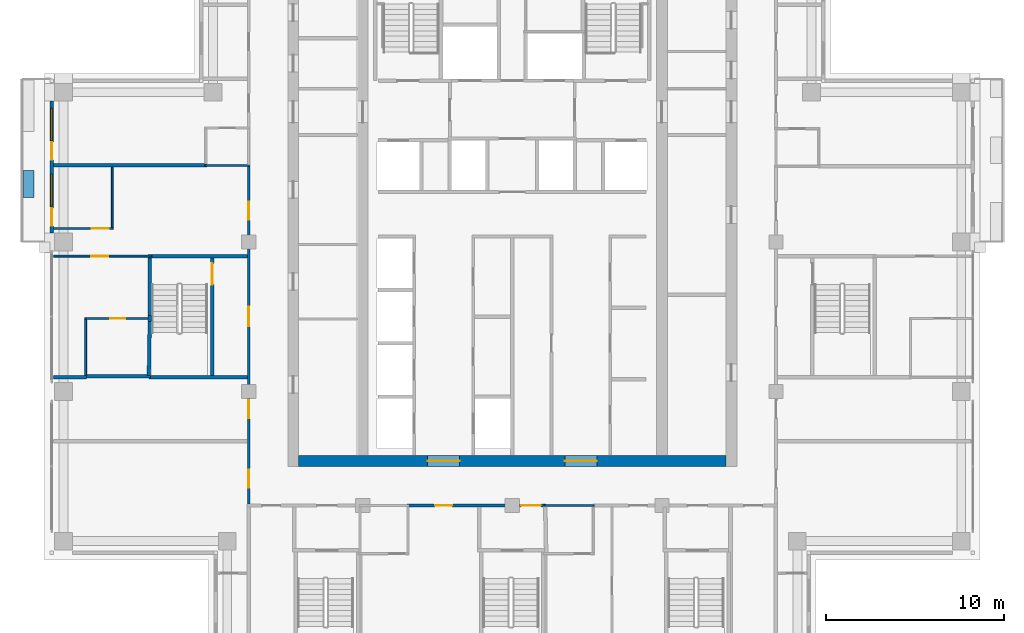
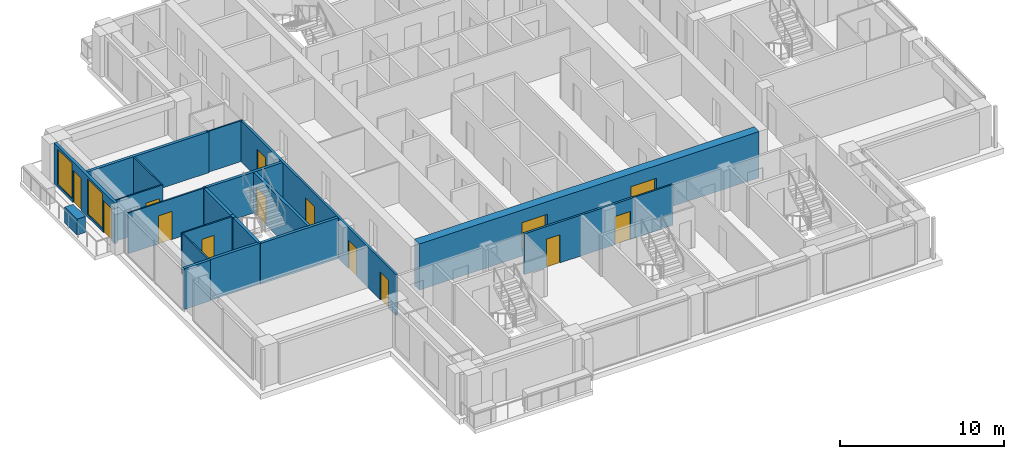
# One storey, part 8 of 16: 21 walls, 14 doors, 2 windows, 16 openings.
"""IFC4 building model written with IfcOpenShell, lengths in metres."""

from ifc_helpers import new_model, si_unit, direction, frame, frame_2d, origin, place, context, subcontext, project, spatial, rectangle, extrude, material, layer, layer_set, type_object, element, fill, save


model = new_model("IFC4")

# Units and contexts
model_context = context("Model", 3, precision=1e-05, world=origin(), true_north=direction((0.0, 1.0)))
body_context = subcontext(model_context, "Body", "Model", "MODEL_VIEW")
ifc_project = project(units=[si_unit("LENGTHUNIT", "METRE"), si_unit("AREAUNIT", "SQUARE_METRE"), si_unit("VOLUMEUNIT", "CUBIC_METRE"), si_unit("PLANEANGLEUNIT", "RADIAN"), si_unit("MASSUNIT", "GRAM", prefix="KILO")], contexts=[model_context])

# Site, building, storey
site_placement = place(None, origin())
site = spatial("IfcSite", under=ifc_project, at=site_placement, CompositionType="ELEMENT")
building_placement = place(site_placement, origin())
building = spatial("IfcBuilding", under=site, at=building_placement, Name="Vermilion Ogive Tower", CompositionType="ELEMENT")
storey_placement = place(building_placement, frame((0.0, 0.0, 179.0)))
storey = spatial("IfcBuildingStorey", under=building, at=storey_placement, Name="L46", CompositionType="ELEMENT", Elevation=179.0)

# Wall, openings, doors
ifc_material_1 = material(Name="Concrete B60", Category="concrete")
ifc_layer_1 = layer(ifc_material_1, 0.60009765625)
ifc_layer_set_1 = layer_set([ifc_layer_1], Name="Core wall 600 B60")
wall_type_1 = type_object("IfcWallType", Name="Core wall 600 B60", PredefinedType="SHEAR", material=ifc_layer_set_1)
wall_1_placement = place(storey_placement, frame((-12.0, -8.10009765625, -0.39990234375), z_axis=(0.0, 0.0, 1.0), x_axis=(1.0, 0.0, 0.0)))
wall_1 = element("IfcWall", 1, at=wall_1_placement, inside=storey, type_object=wall_type_1, Name="L46-CORE-S", PredefinedType="SHEAR", context=body_context, shape_type="SweptSolid", body=[
    extrude(rectangle(XDim=24.0, YDim=0.60009765625, at=frame_2d((12.0, 0.0))), origin(), (0.0, 0.0, 1.0), 3.449951171875),
])
opening_1_placement = place(wall_1_placement, frame((7.25, 0.0, 0.39990234375)))
opening_1 = element("IfcOpeningElement", 2, at=opening_1_placement, cuts=wall_1, Name="Opening DAH035", PredefinedType="OPENING", context=body_context, shape_type="SweptSolid", body=[
    extrude(rectangle(XDim=1.800048828125, YDim=2.10009765625, at=frame_2d((0.89990234375, 1.050048828125))), frame((0.0, 0.31005859375, 0.0), z_axis=(0.0, -1.0, 0.0), x_axis=(1.0, 0.0, 0.0)), (0.0, 0.0, 1.0), 0.6201171875),
])
opening_2_placement = place(wall_1_placement, frame((14.949951171875, 0.0, 0.39990234375)))
opening_2 = element("IfcOpeningElement", 3, at=opening_2_placement, cuts=wall_1, Name="Opening DAH036", PredefinedType="OPENING", context=body_context, shape_type="SweptSolid", body=[
    extrude(rectangle(XDim=1.800048828125, YDim=2.10009765625, at=frame_2d((0.89990234375, 1.050048828125))), frame((0.0, 0.31005859375, 0.0), z_axis=(0.0, -1.0, 0.0), x_axis=(1.0, 0.0, 0.0)), (0.0, 0.0, 1.0), 0.6201171875),
])
ifc_material_2 = material(Name="Timber door leaf", Category="wood")
door_type_1 = type_object("IfcDoorType", Name="Core entry door 1800 x 2100 FD60S", OperationType="DOUBLE_DOOR_SINGLE_SWING", PredefinedType="DOOR", material=ifc_material_2)
door_1_placement = place(opening_1_placement, origin())
door_1 = element("IfcDoor", 4, at=door_1_placement, inside=storey, type_object=door_type_1, Name="L46-CK-XD1", OperationType="SINGLE_SWING_LEFT", OverallHeight=2.10009765625, OverallWidth=1.800048828125, PredefinedType="DOOR", context=body_context, shape_type="SweptSolid", body=[
    extrude(rectangle(XDim=1.800048828125, YDim=2.10009765625, at=frame_2d((0.89990234375, 1.050048828125))), frame((0.0, 0.02490234375, 0.0), z_axis=(0.0, -1.0, 0.0), x_axis=(1.0, 0.0, 0.0)), (0.0, 0.0, 1.0), 0.050048828125),
])
fill(opening_1, door_1)
door_2_placement = place(opening_2_placement, origin())
door_2 = element("IfcDoor", 5, at=door_2_placement, inside=storey, type_object=door_type_1, Name="L46-CK-XD2", OperationType="SINGLE_SWING_LEFT", OverallHeight=2.10009765625, OverallWidth=1.800048828125, PredefinedType="DOOR", context=body_context, shape_type="SweptSolid", body=[
    extrude(rectangle(XDim=1.800048828125, YDim=2.10009765625, at=frame_2d((0.89990234375, 1.050048828125))), frame((0.0, 0.02490234375, 0.0), z_axis=(0.0, -1.0, 0.0), x_axis=(1.0, 0.0, 0.0)), (0.0, 0.0, 1.0), 0.050048828125),
])
fill(opening_2, door_2)

# Wall
ifc_material_3 = material(Name="Gypsum board partition on steel studs", Category="steel")
ifc_layer_2 = layer(ifc_material_3, 0.10009765625)
ifc_layer_set_2 = layer_set([ifc_layer_2], Name="Partition 100 bath")
wall_type_2 = type_object("IfcWallType", Name="Partition 100 bath", PredefinedType="PARTITIONING", material=ifc_layer_set_2)
wall_2_placement = place(storey_placement, frame((1.800048828125, -10.60009765625, 0.0), z_axis=(0.0, 0.0, 1.0), x_axis=(1.0, 0.0, 0.0)))
element("IfcWall", 6, at=wall_2_placement, inside=storey, type_object=wall_type_2, Name="L46-W-W016", PredefinedType="PARTITIONING", context=body_context, shape_type="SweptSolid", body=[
    extrude(rectangle(XDim=2.800048828125, YDim=0.10009765625, at=frame_2d((1.39990234375, 0.0))), origin(), (0.0, 0.0, 1.0), 3.050048828125),
])

# Wall, opening, door
wall_3_placement = place(storey_placement, frame((-24.0, -0.10009765625, 0.0), z_axis=(0.0, 0.0, 1.0), x_axis=(1.0, 0.0, 0.0)))
wall_3 = element("IfcWall", 7, at=wall_3_placement, inside=storey, type_object=wall_type_2, Name="L46-W-W025", PredefinedType="PARTITIONING", context=body_context, shape_type="SweptSolid", body=[
    extrude(rectangle(XDim=3.550048828125, YDim=0.10009765625, at=frame_2d((1.77490234375, 0.0))), origin(), (0.0, 0.0, 1.0), 3.050048828125),
])
opening_3_placement = place(wall_3_placement, frame((1.425048828125, 0.0, 0.0)))
opening_3 = element("IfcOpeningElement", 8, at=opening_3_placement, cuts=wall_3, Name="Opening D4G1007", PredefinedType="OPENING", context=body_context, shape_type="SweptSolid", body=[
    extrude(rectangle(XDim=0.85009765625, YDim=2.10009765625, at=frame_2d((0.425048828125, 1.050048828125))), frame((0.0, 0.06005859375, 0.0), z_axis=(0.0, -1.0, 0.0), x_axis=(1.0, 0.0, 0.0)), (0.0, 0.0, 1.0), 0.1201171875),
])
ifc_material_4 = material(Name="Timber door leaf", Category="wood")
door_type_2 = type_object("IfcDoorType", Name="Bath door 850 x 2100 FD30", OperationType="SINGLE_SWING_LEFT", PredefinedType="DOOR", material=ifc_material_4)
door_3_placement = place(opening_3_placement, origin())
door_3 = element("IfcDoor", 9, at=door_3_placement, inside=storey, type_object=door_type_2, Name="L46-D-D007", OperationType="SINGLE_SWING_RIGHT", OverallHeight=2.10009765625, OverallWidth=0.85009765625, PredefinedType="DOOR", context=body_context, shape_type="SweptSolid", body=[
    extrude(rectangle(XDim=0.85009765625, YDim=2.10009765625, at=frame_2d((0.425048828125, 1.050048828125))), frame((0.0, 0.02490234375, 0.0), z_axis=(0.0, -1.0, 0.0), x_axis=(1.0, 0.0, 0.0)), (0.0, 0.0, 1.0), 0.050048828125),
])
fill(opening_3, door_3)

# Walls
wall_4_placement = place(storey_placement, frame((-17.25, 8.489990234375, 0.0), z_axis=(0.0, 0.0, 1.0), x_axis=(1.0, 0.0, 0.0)))
element("IfcWall", 10, at=wall_4_placement, inside=storey, type_object=wall_type_2, Name="L46-W-W035", PredefinedType="PARTITIONING", context=body_context, shape_type="SweptSolid", body=[
    extrude(rectangle(XDim=2.52490234375, YDim=0.10009765625, at=frame_2d((1.262451171875, 0.0))), origin(), (0.0, 0.0, 1.0), 3.050048828125),
])
wall_5_placement = place(storey_placement, frame((-23.949951171875, -3.300048828125, 0.0), z_axis=(0.0, 0.0, 1.0), x_axis=(0.0, 1.0, 0.0)))
element("IfcWall", 11, at=wall_5_placement, inside=storey, type_object=wall_type_2, Name="L46-W-W042", PredefinedType="PARTITIONING", context=body_context, shape_type="SweptSolid", body=[
    extrude(rectangle(XDim=3.150146484375, YDim=0.10009765625, at=frame_2d((1.5751953125, 0.0))), origin(), (0.0, 0.0, 1.0), 3.050048828125),
])

# Wall, opening, door
ifc_material_5 = material(Name="Gypsum board partition on steel studs", Category="steel")
ifc_layer_3 = layer(ifc_material_5, 0.10009765625)
ifc_layer_set_3 = layer_set([ifc_layer_3], Name="Partition 100 inner")
wall_type_3 = type_object("IfcWallType", Name="Partition 100 inner", PredefinedType="PARTITIONING", material=ifc_layer_set_3)
wall_6_placement = place(storey_placement, frame((-25.75, 3.39990234375, 0.0), z_axis=(0.0, 0.0, 1.0), x_axis=(1.0, 0.0, 0.0)))
wall_6 = element("IfcWall", 12, at=wall_6_placement, inside=storey, type_object=wall_type_3, Name="L46-W-W027", PredefinedType="PARTITIONING", context=body_context, shape_type="SweptSolid", body=[
    extrude(rectangle(XDim=5.5, YDim=0.10009765625, at=frame_2d((2.75, 0.0))), origin(), (0.0, 0.0, 1.0), 3.050048828125),
])
opening_4_placement = place(wall_6_placement, frame((2.125, 0.0, 0.0)))
opening_4 = element("IfcOpeningElement", 13, at=opening_4_placement, cuts=wall_6, Name="Opening D4G1006", PredefinedType="OPENING", context=body_context, shape_type="SweptSolid", body=[
    extrude(rectangle(XDim=0.949951171875, YDim=2.10009765625, at=frame_2d((0.47509765625, 1.050048828125))), frame((0.0, 0.06005859375, 0.0), z_axis=(0.0, -1.0, 0.0), x_axis=(1.0, 0.0, 0.0)), (0.0, 0.0, 1.0), 0.1201171875),
])
ifc_material_6 = material(Name="Timber door leaf", Category="wood")
door_type_3 = type_object("IfcDoorType", Name="Inner door 950 x 2100 FD30", OperationType="SINGLE_SWING_LEFT", PredefinedType="DOOR", material=ifc_material_6)
door_4_placement = place(opening_4_placement, origin())
door_4 = element("IfcDoor", 14, at=door_4_placement, inside=storey, type_object=door_type_3, Name="L46-D-D006", OperationType="SINGLE_SWING_LEFT", OverallHeight=2.10009765625, OverallWidth=0.949951171875, PredefinedType="DOOR", context=body_context, shape_type="SweptSolid", body=[
    extrude(rectangle(XDim=0.949951171875, YDim=2.10009765625, at=frame_2d((0.47509765625, 1.050048828125))), frame((0.0, 0.02490234375, 0.0), z_axis=(0.0, -1.0, 0.0), x_axis=(1.0, 0.0, 0.0)), (0.0, 0.0, 1.0), 0.050048828125),
])
fill(opening_4, door_4)

wall_7_placement = place(storey_placement, frame((-25.75, 4.949951171875, 0.0), z_axis=(0.0, 0.0, 1.0), x_axis=(1.0, 0.0, 0.0)))
wall_7 = element("IfcWall", 15, at=wall_7_placement, inside=storey, type_object=wall_type_3, Name="L46-W-W031", PredefinedType="PARTITIONING", context=body_context, shape_type="SweptSolid", body=[
    extrude(rectangle(XDim=3.35009765625, YDim=0.10009765625, at=frame_2d((1.675048828125, 0.0))), origin(), (0.0, 0.0, 1.0), 3.050048828125),
])
opening_5_placement = place(wall_7_placement, frame((2.14990234375, 0.0, 0.0)))
opening_5 = element("IfcOpeningElement", 16, at=opening_5_placement, cuts=wall_7, Name="Opening D4G1004", PredefinedType="OPENING", context=body_context, shape_type="SweptSolid", body=[
    extrude(rectangle(XDim=0.949951171875, YDim=2.10009765625, at=frame_2d((0.47509765625, 1.050048828125))), frame((0.0, 0.06005859375, 0.0), z_axis=(0.0, -1.0, 0.0), x_axis=(1.0, 0.0, 0.0)), (0.0, 0.0, 1.0), 0.1201171875),
])
door_5_placement = place(opening_5_placement, origin())
door_5 = element("IfcDoor", 17, at=door_5_placement, inside=storey, type_object=door_type_3, Name="L46-D-D004", OperationType="SINGLE_SWING_RIGHT", OverallHeight=2.10009765625, OverallWidth=0.949951171875, PredefinedType="DOOR", context=body_context, shape_type="SweptSolid", body=[
    extrude(rectangle(XDim=0.949951171875, YDim=2.10009765625, at=frame_2d((0.47509765625, 1.050048828125))), frame((0.0, 0.02490234375, 0.0), z_axis=(0.0, -1.0, 0.0), x_axis=(1.0, 0.0, 0.0)), (0.0, 0.0, 1.0), 0.050048828125),
])
fill(opening_5, door_5)

# Wall
wall_8_placement = place(storey_placement, frame((-22.449951171875, 5.0, 0.0), z_axis=(0.0, 0.0, 1.0), x_axis=(0.0, 1.0, 0.0)))
element("IfcWall", 18, at=wall_8_placement, inside=storey, type_object=wall_type_3, Name="L46-W-W043", PredefinedType="PARTITIONING", context=body_context, shape_type="SweptSolid", body=[
    extrude(rectangle(XDim=3.389892578125, YDim=0.10009765625, at=frame_2d((1.69482421875, 0.0))), origin(), (0.0, 0.0, 1.0), 3.050048828125),
])

# Wall, openings, doors
ifc_material_7 = material(Name="Gypsum board partition on steel studs", Category="steel")
ifc_layer_4 = layer(ifc_material_7, 0.14990234375)
ifc_layer_set_4 = layer_set([ifc_layer_4], Name="Partition 150 corridor")
wall_type_4 = type_object("IfcWallType", Name="Partition 150 corridor", PredefinedType="PARTITIONING", material=ifc_layer_set_4)
wall_9_placement = place(storey_placement, frame((-5.89990234375, -10.60009765625, 0.0), z_axis=(0.0, 0.0, 1.0), x_axis=(1.0, 0.0, 0.0)))
wall_9 = element("IfcWall", 19, at=wall_9_placement, inside=storey, type_object=wall_type_4, Name="L46-W-W015", PredefinedType="PARTITIONING", context=body_context, shape_type="SweptSolid", body=[
    extrude(rectangle(XDim=7.7998046875, YDim=0.14990234375, at=frame_2d((3.89990234375, 0.0))), origin(), (0.0, 0.0, 1.0), 3.050048828125),
])
opening_6_placement = place(wall_9_placement, frame((1.574951171875, 0.0, 0.0)))
opening_6 = element("IfcOpeningElement", 20, at=opening_6_placement, cuts=wall_9, Name="Opening D4G1012", PredefinedType="OPENING", context=body_context, shape_type="SweptSolid", body=[
    extrude(rectangle(XDim=0.949951171875, YDim=2.10009765625, at=frame_2d((0.47509765625, 1.050048828125))), frame((0.0, 0.0849609375, 0.0), z_axis=(0.0, -1.0, 0.0), x_axis=(1.0, 0.0, 0.0)), (0.0, 0.0, 1.0), 0.169921875),
])
opening_7_placement = place(wall_9_placement, frame((6.39990234375, 0.0, 0.0)))
opening_7 = element("IfcOpeningElement", 21, at=opening_7_placement, cuts=wall_9, Name="Opening D4G1029", PredefinedType="OPENING", context=body_context, shape_type="SweptSolid", body=[
    extrude(rectangle(XDim=1.10009765625, YDim=2.10009765625, at=frame_2d((0.550048828125, 1.050048828125))), frame((0.0, 0.0849609375, 0.0), z_axis=(0.0, -1.0, 0.0), x_axis=(1.0, 0.0, 0.0)), (0.0, 0.0, 1.0), 0.169921875),
])
ifc_material_8 = material(Name="Timber door leaf", Category="wood")
door_type_4 = type_object("IfcDoorType", Name="Stair door 1100 x 2100 FD60S", OperationType="SINGLE_SWING_LEFT", PredefinedType="DOOR", material=ifc_material_8)
door_6_placement = place(opening_7_placement, origin())
door_6 = element("IfcDoor", 22, at=door_6_placement, inside=storey, type_object=door_type_4, Name="L46-D-D029", OperationType="SINGLE_SWING_LEFT", OverallHeight=2.10009765625, OverallWidth=1.10009765625, PredefinedType="DOOR", context=body_context, shape_type="SweptSolid", body=[
    extrude(rectangle(XDim=1.10009765625, YDim=2.10009765625, at=frame_2d((0.550048828125, 1.050048828125))), frame((0.0, 0.02490234375, 0.0), z_axis=(0.0, -1.0, 0.0), x_axis=(1.0, 0.0, 0.0)), (0.0, 0.0, 1.0), 0.050048828125),
])
fill(opening_7, door_6)
ifc_material_9 = material(Name="Timber door leaf", Category="wood")
door_type_5 = type_object("IfcDoorType", Name="Unit door 950 x 2100 FD30S", OperationType="SINGLE_SWING_LEFT", PredefinedType="DOOR", material=ifc_material_9)
door_7_placement = place(opening_6_placement, origin())
door_7 = element("IfcDoor", 23, at=door_7_placement, inside=storey, type_object=door_type_5, Name="L46-D-D012", OperationType="SINGLE_SWING_LEFT", OverallHeight=2.10009765625, OverallWidth=0.949951171875, PredefinedType="DOOR", context=body_context, shape_type="SweptSolid", body=[
    extrude(rectangle(XDim=0.949951171875, YDim=2.10009765625, at=frame_2d((0.47509765625, 1.050048828125))), frame((0.0, 0.02490234375, 0.0), z_axis=(0.0, -1.0, 0.0), x_axis=(1.0, 0.0, 0.0)), (0.0, 0.0, 1.0), 0.050048828125),
])
fill(opening_6, door_7)

wall_10_placement = place(storey_placement, frame((-14.800048828125, -10.52490234375, 0.0), z_axis=(0.0, 0.0, 1.0), x_axis=(0.0, 1.0, 0.0)))
wall_10 = element("IfcWall", 24, at=wall_10_placement, inside=storey, type_object=wall_type_4, Name="L46-W-W050", PredefinedType="PARTITIONING", context=body_context, shape_type="SweptSolid", body=[
    extrude(rectangle(XDim=18.96484375, YDim=0.14990234375, at=frame_2d((9.482421875, 0.0))), origin(), (0.0, 0.0, 1.0), 3.050048828125),
])
opening_8_placement = place(wall_10_placement, frame((0.9248046875, 0.0, 0.0)))
opening_8 = element("IfcOpeningElement", 25, at=opening_8_placement, cuts=wall_10, Name="Opening D4G1001", PredefinedType="OPENING", context=body_context, shape_type="SweptSolid", body=[
    extrude(rectangle(XDim=1.0, YDim=2.10009765625, at=frame_2d((0.5, 1.050048828125))), frame((0.0, 0.0849609375, 0.0), z_axis=(0.0, -1.0, 0.0), x_axis=(1.0, 0.0, 0.0)), (0.0, 0.0, 1.0), 0.169921875),
])
opening_9_placement = place(wall_10_placement, frame((15.969970703125, 0.0, 0.0)))
opening_9 = element("IfcOpeningElement", 26, at=opening_9_placement, cuts=wall_10, Name="Opening D4G1005", PredefinedType="OPENING", context=body_context, shape_type="SweptSolid", body=[
    extrude(rectangle(XDim=1.0, YDim=2.10009765625, at=frame_2d((0.5, 1.050048828125))), frame((0.0, 0.0849609375, 0.0), z_axis=(0.0, -1.0, 0.0), x_axis=(1.0, 0.0, 0.0)), (0.0, 0.0, 1.0), 0.169921875),
])
opening_10_placement = place(wall_10_placement, frame((9.974853515625, 0.0, 0.0)))
opening_10 = element("IfcOpeningElement", 27, at=opening_10_placement, cuts=wall_10, Name="Opening D4G1035", PredefinedType="OPENING", context=body_context, shape_type="SweptSolid", body=[
    extrude(rectangle(XDim=1.10009765625, YDim=2.10009765625, at=frame_2d((0.550048828125, 1.050048828125))), frame((0.0, 0.0849609375, 0.0), z_axis=(0.0, -1.0, 0.0), x_axis=(1.0, 0.0, 0.0)), (0.0, 0.0, 1.0), 0.169921875),
])
opening_11_placement = place(wall_10_placement, frame((4.824951171875, 0.0, 0.0)))
opening_11 = element("IfcOpeningElement", 28, at=opening_11_placement, cuts=wall_10, Name="Opening D4G1039", PredefinedType="OPENING", context=body_context, shape_type="SweptSolid", body=[
    extrude(rectangle(XDim=1.0, YDim=2.10009765625, at=frame_2d((0.5, 1.050048828125))), frame((0.0, 0.0849609375, 0.0), z_axis=(0.0, -1.0, 0.0), x_axis=(1.0, 0.0, 0.0)), (0.0, 0.0, 1.0), 0.169921875),
])
door_8_placement = place(opening_10_placement, origin())
door_8 = element("IfcDoor", 29, at=door_8_placement, inside=storey, type_object=door_type_4, Name="L46-D-D035", OperationType="SINGLE_SWING_RIGHT", OverallHeight=2.10009765625, OverallWidth=1.10009765625, PredefinedType="DOOR", context=body_context, shape_type="SweptSolid", body=[
    extrude(rectangle(XDim=1.10009765625, YDim=2.10009765625, at=frame_2d((0.550048828125, 1.050048828125))), frame((0.0, 0.02490234375, 0.0), z_axis=(0.0, -1.0, 0.0), x_axis=(1.0, 0.0, 0.0)), (0.0, 0.0, 1.0), 0.050048828125),
])
fill(opening_10, door_8)
ifc_material_10 = material(Name="Timber door leaf", Category="wood")
door_type_6 = type_object("IfcDoorType", Name="Unit door 1000 x 2100 FD30S", OperationType="SINGLE_SWING_LEFT", PredefinedType="DOOR", material=ifc_material_10)
door_9_placement = place(opening_8_placement, origin())
door_9 = element("IfcDoor", 30, at=door_9_placement, inside=storey, type_object=door_type_6, Name="L46-D-D001", OperationType="SINGLE_SWING_LEFT", OverallHeight=2.10009765625, OverallWidth=1.0, PredefinedType="DOOR", context=body_context, shape_type="SweptSolid", body=[
    extrude(rectangle(XDim=1.0, YDim=2.10009765625, at=frame_2d((0.5, 1.050048828125))), frame((0.0, 0.02490234375, 0.0), z_axis=(0.0, -1.0, 0.0), x_axis=(1.0, 0.0, 0.0)), (0.0, 0.0, 1.0), 0.050048828125),
])
fill(opening_8, door_9)
door_10_placement = place(opening_9_placement, origin())
door_10 = element("IfcDoor", 31, at=door_10_placement, inside=storey, type_object=door_type_6, Name="L46-D-D005", OperationType="SINGLE_SWING_RIGHT", OverallHeight=2.10009765625, OverallWidth=1.0, PredefinedType="DOOR", context=body_context, shape_type="SweptSolid", body=[
    extrude(rectangle(XDim=1.0, YDim=2.10009765625, at=frame_2d((0.5, 1.050048828125))), frame((0.0, 0.02490234375, 0.0), z_axis=(0.0, -1.0, 0.0), x_axis=(1.0, 0.0, 0.0)), (0.0, 0.0, 1.0), 0.050048828125),
])
fill(opening_9, door_10)
door_11_placement = place(opening_11_placement, origin())
door_11 = element("IfcDoor", 32, at=door_11_placement, inside=storey, type_object=door_type_6, Name="L46-D-D039", OperationType="SINGLE_SWING_RIGHT", OverallHeight=2.10009765625, OverallWidth=1.0, PredefinedType="DOOR", context=body_context, shape_type="SweptSolid", body=[
    extrude(rectangle(XDim=1.0, YDim=2.10009765625, at=frame_2d((0.5, 1.050048828125))), frame((0.0, 0.02490234375, 0.0), z_axis=(0.0, -1.0, 0.0), x_axis=(1.0, 0.0, 0.0)), (0.0, 0.0, 1.0), 0.050048828125),
])
fill(opening_11, door_11)

# Walls
ifc_material_11 = material(Name="Gypsum board partition on steel studs", Category="steel")
ifc_layer_5 = layer(ifc_material_11, 0.199951171875)
ifc_layer_set_5 = layer_set([ifc_layer_5], Name="Partition 200 party")
wall_type_5 = type_object("IfcWallType", Name="Partition 200 party", PredefinedType="PARTITIONING", material=ifc_layer_set_5)
wall_11_placement = place(storey_placement, frame((-25.75, -3.39990234375, 0.0), z_axis=(0.0, 0.0, 1.0), x_axis=(1.0, 0.0, 0.0)))
element("IfcWall", 33, at=wall_11_placement, inside=storey, type_object=wall_type_5, Name="L46-W-W020", PredefinedType="PARTITIONING", context=body_context, shape_type="SweptSolid", body=[
    extrude(rectangle(XDim=1.85009765625, YDim=0.199951171875, at=frame_2d((0.925048828125, 0.0))), origin(), (0.0, 0.0, 1.0), 3.050048828125),
])
wall_12_placement = place(storey_placement, frame((-25.75, 8.489990234375, 0.0), z_axis=(0.0, 0.0, 1.0), x_axis=(1.0, 0.0, 0.0)))
element("IfcWall", 34, at=wall_12_placement, inside=storey, type_object=wall_type_5, Name="L46-W-W034", PredefinedType="PARTITIONING", context=body_context, shape_type="SweptSolid", body=[
    extrude(rectangle(XDim=8.60009765625, YDim=0.199951171875, at=frame_2d((4.300048828125, 0.0))), origin(), (0.0, 0.0, 1.0), 3.050048828125),
])
ifc_material_12 = material(Name="Concrete B60", Category="concrete")
ifc_layer_6 = layer(ifc_material_12, 0.199951171875)
ifc_layer_set_6 = layer_set([ifc_layer_6], Name="Stair shaft wall 200 Concrete B60")
wall_type_6 = type_object("IfcWallType", Name="Stair shaft wall 200 Concrete B60", PredefinedType="SOLIDWALL", material=ifc_layer_set_6)
wall_13_placement = place(storey_placement, frame((-24.0, -3.349853515625, 0.0), z_axis=(0.0, 0.0, 1.0), x_axis=(1.0, 0.0, 0.0)))
element("IfcWall", 35, at=wall_13_placement, inside=storey, type_object=wall_type_6, Name="L46-W-W021", PredefinedType="SOLIDWALL", context=body_context, shape_type="SweptSolid", body=[
    extrude(rectangle(XDim=3.699951171875, YDim=0.199951171875, at=frame_2d((1.85009765625, 0.0))), origin(), (0.0, 0.0, 1.0), 3.050048828125),
])
wall_14_placement = place(storey_placement, frame((-20.449951171875, 3.39990234375, 0.0), z_axis=(0.0, 0.0, 1.0), x_axis=(1.0, 0.0, 0.0)))
element("IfcWall", 36, at=wall_14_placement, inside=storey, type_object=wall_type_6, Name="L46-W-W028", PredefinedType="SOLIDWALL", context=body_context, shape_type="SweptSolid", body=[
    extrude(rectangle(XDim=5.574951171875, YDim=0.199951171875, at=frame_2d((2.78759765625, 0.0))), origin(), (0.0, 0.0, 1.0), 3.050048828125),
])
wall_15_placement = place(storey_placement, frame((-20.400146484375, -3.300048828125, 0.0), z_axis=(0.0, 0.0, 1.0), x_axis=(0.016112644959, 0.99987018291, 0.0)))
element("IfcWall", 37, at=wall_15_placement, inside=storey, type_object=wall_type_6, Name="L46-W-W044", PredefinedType="SOLIDWALL", context=body_context, shape_type="SweptSolid", body=[
    extrude(rectangle(XDim=3.030517578125, YDim=0.199951171875, at=frame_2d((1.51513671875, 0.0))), origin(), (0.0, 0.0, 1.0), 3.050048828125),
])
wall_16_placement = place(storey_placement, frame((-20.35009765625, 0.070068359375, 0.0), z_axis=(0.0, 0.0, 1.0), x_axis=(0.0, 1.0, 0.0)))
element("IfcWall", 38, at=wall_16_placement, inside=storey, type_object=wall_type_6, Name="L46-W-W045", PredefinedType="SOLIDWALL", context=body_context, shape_type="SweptSolid", body=[
    extrude(rectangle(XDim=3.22998046875, YDim=0.199951171875, at=frame_2d((1.614990234375, 0.0))), origin(), (0.0, 0.0, 1.0), 3.050048828125),
])

# Wall, opening, door
wall_17_placement = place(storey_placement, frame((-16.85009765625, -3.300048828125, 0.0), z_axis=(0.0, 0.0, 1.0), x_axis=(0.0, 1.0, 0.0)))
wall_17 = element("IfcWall", 39, at=wall_17_placement, inside=storey, type_object=wall_type_6, Name="L46-W-W047", PredefinedType="SOLIDWALL", context=body_context, shape_type="SweptSolid", body=[
    extrude(rectangle(XDim=6.60009765625, YDim=0.199951171875, at=frame_2d((3.300048828125, 0.0))), origin(), (0.0, 0.0, 1.0), 3.050048828125),
])
opening_12_placement = place(wall_17_placement, frame((5.10009765625, 0.0, 0.0)))
opening_12 = element("IfcOpeningElement", 40, at=opening_12_placement, cuts=wall_17, Name="Opening D4G1036", PredefinedType="OPENING", context=body_context, shape_type="SweptSolid", body=[
    extrude(rectangle(XDim=1.199951171875, YDim=2.10009765625, at=frame_2d((0.60009765625, 1.050048828125))), frame((0.0, 0.10986328125, 0.0), z_axis=(0.0, -1.0, 0.0), x_axis=(1.0, 0.0, 0.0)), (0.0, 0.0, 1.0), 0.219970703125),
])
ifc_material_13 = material(Name="Timber door leaf", Category="wood")
door_type_7 = type_object("IfcDoorType", Name="Stair door 1200 x 2100 FD60S", OperationType="SINGLE_SWING_LEFT", PredefinedType="DOOR", material=ifc_material_13)
door_12_placement = place(opening_12_placement, origin())
door_12 = element("IfcDoor", 41, at=door_12_placement, inside=storey, type_object=door_type_7, Name="L46-D-D036", OperationType="SINGLE_SWING_RIGHT", OverallHeight=2.10009765625, OverallWidth=1.199951171875, PredefinedType="DOOR", context=body_context, shape_type="SweptSolid", body=[
    extrude(rectangle(XDim=1.199951171875, YDim=2.10009765625, at=frame_2d((0.60009765625, 1.050048828125))), frame((0.0, 0.02490234375, 0.0), z_axis=(0.0, -1.0, 0.0), x_axis=(1.0, 0.0, 0.0)), (0.0, 0.0, 1.0), 0.050048828125),
])
fill(opening_12, door_12)

# Walls
wall_18_placement = place(storey_placement, frame((-20.35009765625, -0.27001953125, 0.0), z_axis=(0.0, 0.0, 1.0), x_axis=(0.0, 1.0, 0.0)))
element("IfcWall", 42, at=wall_18_placement, inside=storey, type_object=wall_type_6, Name="L46-SW-ST9-W1", PredefinedType="SOLIDWALL", context=body_context, shape_type="SweptSolid", body=[
    extrude(rectangle(XDim=0.340087890625, YDim=0.199951171875, at=frame_2d((0.169921875, 0.0))), origin(), (0.0, 0.0, 1.0), 3.050048828125),
])
wall_19_placement = place(storey_placement, frame((-20.39990234375, -3.39990234375, 0.0), z_axis=(0.0, 0.0, 1.0), x_axis=(1.0, 0.0, 0.0)))
element("IfcWall", 43, at=wall_19_placement, inside=storey, type_object=wall_type_6, Name="L46-W-W022-A", PredefinedType="SOLIDWALL", context=body_context, shape_type="SweptSolid", body=[
    extrude(rectangle(XDim=5.52490234375, YDim=0.199951171875, at=frame_2d((2.762451171875, 0.0))), origin(), (0.0, 0.0, 1.0), 3.050048828125),
])
ifc_material_14 = material(Name="Concrete B40", Category="concrete")
ifc_layer_7 = layer(ifc_material_14, 0.60009765625)
ifc_layer_set_7 = layer_set([ifc_layer_7], Name="Structural planter")
wall_type_7 = type_object("IfcWallType", Name="Structural planter", PredefinedType="USERDEFINED", material=ifc_layer_set_7)
wall_20_placement = place(storey_placement, frame((-27.154052734375, 8.199951171875, -0.0400390625), z_axis=(0.0, 0.0, 1.0), x_axis=(0.0, -1.0, 0.0)))
element("IfcWall", 44, at=wall_20_placement, inside=storey, type_object=wall_type_7, Name="Planter W01A2", ObjectType="PLANTER", PredefinedType="USERDEFINED", context=body_context, shape_type="SweptSolid", body=[
    extrude(rectangle(XDim=1.5, YDim=0.60009765625, at=frame_2d((0.75, 0.0))), origin(), (0.0, 0.0, 1.0), 1.199951171875),
])

# Wall, openings, doors, windows
ifc_material_15 = material(Name="Aluminium window wall framing", Category="aluminium")
ifc_layer_8 = layer(ifc_material_15, 0.199951171875)
ifc_layer_set_8 = layer_set([ifc_layer_8], Name="Window wall")
wall_type_8 = type_object("IfcWallType", Name="Window wall", PredefinedType="STANDARD", material=ifc_layer_set_8)
wall_21_placement = place(storey_placement, frame((-25.85009765625, 12.10009765625, 0.0), z_axis=(0.0, 0.0, 1.0), x_axis=(0.0, -1.0, 0.0)))
wall_21 = element("IfcWall", 45, at=wall_21_placement, inside=storey, type_object=wall_type_8, Name="Window wall W1", PredefinedType="STANDARD", context=body_context, shape_type="SweptSolid", body=[
    extrude(rectangle(XDim=7.400146484375, YDim=0.199951171875, at=frame_2d((3.7001953125, 0.0))), origin(), (0.0, 0.0, 1.0), 3.050048828125),
])
opening_13_placement = place(wall_21_placement, frame((4.10009765625, 0.0, 0.199951171875)))
opening_13 = element("IfcOpeningElement", 46, at=opening_13_placement, cuts=wall_21, Name="Opening W1-W01", PredefinedType="OPENING", context=body_context, shape_type="SweptSolid", body=[
    extrude(rectangle(XDim=1.800048828125, YDim=2.64990234375, at=frame_2d((0.89990234375, 1.324951171875))), frame((0.0, 0.10986328125, 0.0), z_axis=(0.0, -1.0, 0.0), x_axis=(1.0, 0.0, 0.0)), (0.0, 0.0, 1.0), 0.219970703125),
])
opening_14_placement = place(wall_21_placement, frame((6.0, 0.0, 0.0)))
opening_14 = element("IfcOpeningElement", 47, at=opening_14_placement, cuts=wall_21, Name="Opening D1-W01", PredefinedType="OPENING", context=body_context, shape_type="SweptSolid", body=[
    extrude(rectangle(XDim=1.0, YDim=2.39990234375, at=frame_2d((0.5, 1.199951171875))), frame((0.0, 0.10986328125, 0.0), z_axis=(0.0, -1.0, 0.0), x_axis=(1.0, 0.0, 0.0)), (0.0, 0.0, 1.0), 0.219970703125),
])
opening_15_placement = place(wall_21_placement, frame((0.39990234375, 0.0, 0.199951171875)))
opening_15 = element("IfcOpeningElement", 48, at=opening_15_placement, cuts=wall_21, Name="Opening W1-W02", PredefinedType="OPENING", context=body_context, shape_type="SweptSolid", body=[
    extrude(rectangle(XDim=1.800048828125, YDim=2.64990234375, at=frame_2d((0.89990234375, 1.324951171875))), frame((0.0, 0.10986328125, 0.0), z_axis=(0.0, -1.0, 0.0), x_axis=(1.0, 0.0, 0.0)), (0.0, 0.0, 1.0), 0.219970703125),
])
opening_16_placement = place(wall_21_placement, frame((2.300048828125, 0.0, 0.0)))
opening_16 = element("IfcOpeningElement", 49, at=opening_16_placement, cuts=wall_21, Name="Opening D1-W02", PredefinedType="OPENING", context=body_context, shape_type="SweptSolid", body=[
    extrude(rectangle(XDim=1.0, YDim=2.39990234375, at=frame_2d((0.5, 1.199951171875))), frame((0.0, 0.10986328125, 0.0), z_axis=(0.0, -1.0, 0.0), x_axis=(1.0, 0.0, 0.0)), (0.0, 0.0, 1.0), 0.219970703125),
])
ifc_material_16 = material(Name="Aluminium framed glazed door", Category="aluminium")
door_type_8 = type_object("IfcDoorType", Name="Balcony door D1", OperationType="SINGLE_SWING_LEFT", PredefinedType="DOOR", material=ifc_material_16)
door_13_placement = place(opening_14_placement, origin())
door_13 = element("IfcDoor", 50, at=door_13_placement, inside=storey, type_object=door_type_8, Name="Balcony door W01", OperationType="SINGLE_SWING_LEFT", OverallHeight=2.39990234375, OverallWidth=1.0, PredefinedType="DOOR", context=body_context, shape_type="SweptSolid", body=[
    extrude(rectangle(XDim=1.0, YDim=2.39990234375, at=frame_2d((0.5, 1.199951171875))), frame((0.0, 0.02490234375, 0.0), z_axis=(0.0, -1.0, 0.0), x_axis=(1.0, 0.0, 0.0)), (0.0, 0.0, 1.0), 0.050048828125),
])
fill(opening_14, door_13)
door_14_placement = place(opening_16_placement, origin())
door_14 = element("IfcDoor", 51, at=door_14_placement, inside=storey, type_object=door_type_8, Name="Balcony door W02", OperationType="SINGLE_SWING_LEFT", OverallHeight=2.39990234375, OverallWidth=1.0, PredefinedType="DOOR", context=body_context, shape_type="SweptSolid", body=[
    extrude(rectangle(XDim=1.0, YDim=2.39990234375, at=frame_2d((0.5, 1.199951171875))), frame((0.0, 0.02490234375, 0.0), z_axis=(0.0, -1.0, 0.0), x_axis=(1.0, 0.0, 0.0)), (0.0, 0.0, 1.0), 0.050048828125),
])
fill(opening_16, door_14)
ifc_material_17 = material(Name="Aluminium framed double glazing", Category="aluminium")
window_type = type_object("IfcWindowType", Name="Guest window W1", PartitioningType="SINGLE_PANEL", PredefinedType="WINDOW", material=ifc_material_17)
window_1_placement = place(opening_13_placement, origin())
window_1 = element("IfcWindow", 52, at=window_1_placement, inside=storey, type_object=window_type, Name="Window W01", OverallHeight=2.64990234375, OverallWidth=1.800048828125, PartitioningType="SINGLE_PANEL", PredefinedType="WINDOW", context=body_context, shape_type="SweptSolid", body=[
    extrude(rectangle(XDim=1.800048828125, YDim=2.64990234375, at=frame_2d((0.89990234375, 1.324951171875))), frame((0.0, 0.030029296875, 0.0), z_axis=(0.0, -1.0, 0.0), x_axis=(1.0, 0.0, 0.0)), (0.0, 0.0, 1.0), 0.06005859375),
])
fill(opening_13, window_1)
window_2_placement = place(opening_15_placement, origin())
window_2 = element("IfcWindow", 53, at=window_2_placement, inside=storey, type_object=window_type, Name="Window W02", OverallHeight=2.64990234375, OverallWidth=1.800048828125, PartitioningType="SINGLE_PANEL", PredefinedType="WINDOW", context=body_context, shape_type="SweptSolid", body=[
    extrude(rectangle(XDim=1.800048828125, YDim=2.64990234375, at=frame_2d((0.89990234375, 1.324951171875))), frame((0.0, 0.030029296875, 0.0), z_axis=(0.0, -1.0, 0.0), x_axis=(1.0, 0.0, 0.0)), (0.0, 0.0, 1.0), 0.06005859375),
])
fill(opening_15, window_2)

save(model, "model.ifc")
